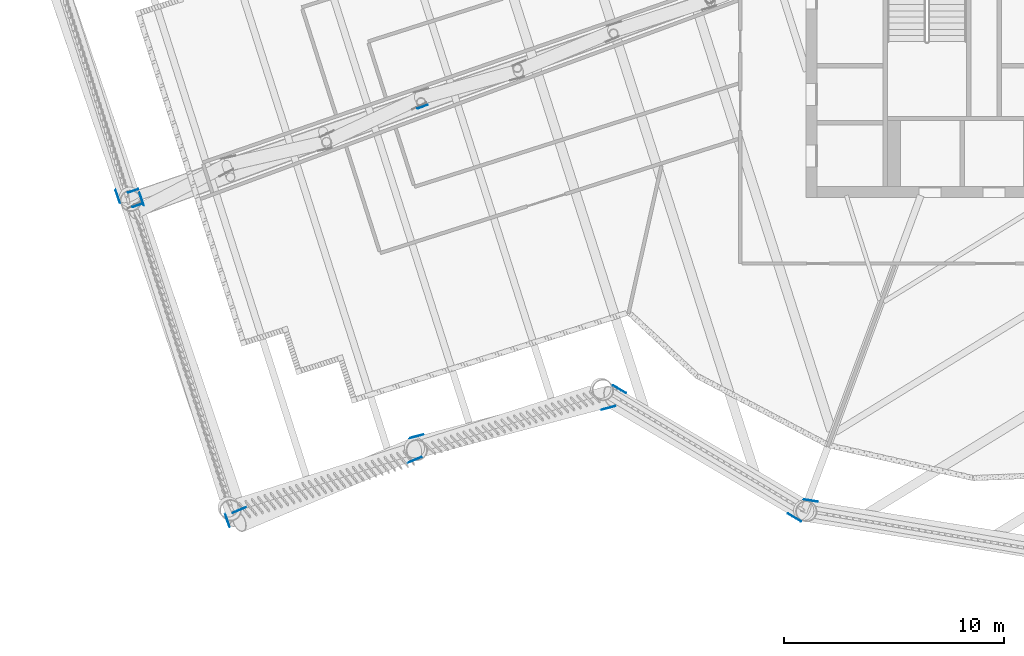
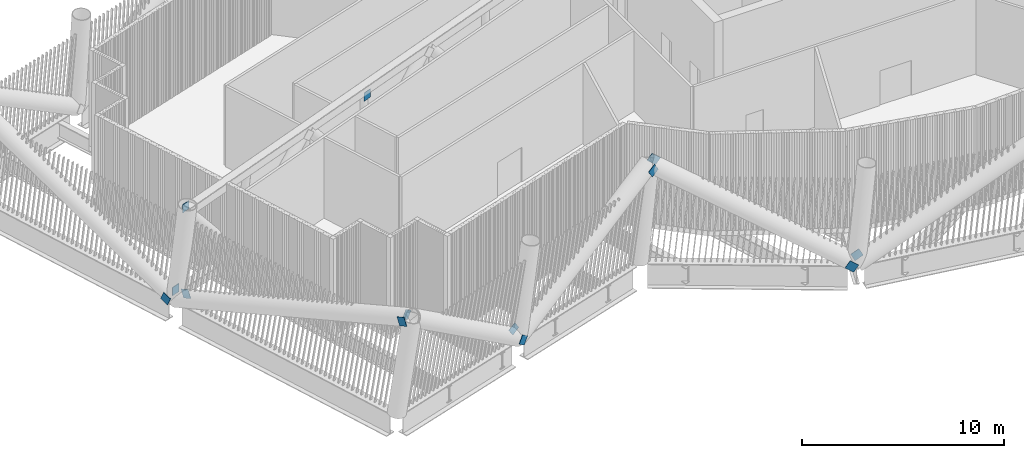
# One storey, part 19 of 40: 13 discrete accessories.
"""IFC4 building model written with IfcOpenShell, lengths in metres."""

from ifc_helpers import new_model, si_unit, direction, frame, origin, origin_2d, place, context, subcontext, project, spatial, rectangle, extrude, material, material_profile, profile_set, type_object, element, save


model = new_model("IFC4")

# Units and contexts
model_context = context("Model", 3, precision=1e-05, world=origin(), true_north=direction((0.0, 1.0)))
body_context = subcontext(model_context, "Body", "Model", "MODEL_VIEW")
ifc_project = project(units=[si_unit("LENGTHUNIT", "METRE"), si_unit("AREAUNIT", "SQUARE_METRE"), si_unit("VOLUMEUNIT", "CUBIC_METRE"), si_unit("PLANEANGLEUNIT", "RADIAN"), si_unit("MASSUNIT", "GRAM", prefix="KILO")], contexts=[model_context])

# Site, building, storey
site_placement = place(None, origin())
site = spatial("IfcSite", under=ifc_project, at=site_placement, CompositionType="ELEMENT")
building_placement = place(site_placement, origin())
building = spatial("IfcBuilding", under=site, at=building_placement, Name="Tarsis Ring Headquarters", CompositionType="ELEMENT")
storey_placement = place(building_placement, frame((0.0, 0.0, 354.800048828125)))
storey = spatial("IfcBuildingStorey", under=building, at=storey_placement, Name="L84", CompositionType="ELEMENT", Elevation=354.800048828125)

# Discrete accessories
ifc_material = material(Name="Structural steel S355", Category="steel")
ifc_material_profile = material_profile(ifc_material, rectangle(XDim=0.02490234375, YDim=0.5, at=origin_2d()), Name="PL 25x500")
ifc_profile_set = profile_set([ifc_material_profile], Name="Structural steel S355")
discrete_accessory_type_1 = type_object("IfcDiscreteAccessoryType", Name="Gusset plate Belt truss 25", PredefinedType="BRACKET", material=ifc_profile_set)
for number, where, z_axis, x_axis, name in (
    (1, (-10.009033203125, -26.751953125, 0.0), (0.871986221929, -0.139634971709, 0.469193034308), (0.158119875733, 0.987419923284, 0.0), "Gusset plate GP4"),
    (2, (-41.247314453125, -13.157470703125, 0.0), (-0.295451191013, 0.870726402606, 0.393121006224), (-0.946970043037, -0.321321859808, 0.0), "Gusset plate GP4"),
):
    element("IfcDiscreteAccessory", number, at=place(storey_placement, frame(where, z_axis=z_axis, x_axis=x_axis)), inside=storey, type_object=discrete_accessory_type_1, Name=name, PredefinedType="BRACKET", context=body_context, shape_type="SweptSolid", body=[
        extrude(rectangle(XDim=0.02490234375, YDim=0.5, at=origin_2d()), origin(), (0.0, 0.0, 1.0), 0.5),
    ])
discrete_accessory_1_placement = place(storey_placement, frame((-40.3095703125, -12.839599609375, 0.0), z_axis=(0.299213625719, -0.883973696862, 0.359251596295), x_axis=(0.947208638676, 0.32061783297, 0.0)))
element("IfcDiscreteAccessory", 3, at=discrete_accessory_1_placement, inside=storey, type_object=discrete_accessory_type_1, Name="Gusset plate GP4", PredefinedType="BRACKET", context=body_context, shape_type="SweptSolid", body=[
    extrude(rectangle(XDim=0.02490234375, YDim=0.5, at=origin_2d()), origin(), (0.0, 0.0, 1.0), 0.500244140625),
])
for number, where, z_axis, x_axis, name in (
    (4, (-36.2548828125, -27.912109375, 6.0), (-0.298898113326, 0.883996054118, -0.359459168967), (-0.947313732335, -0.320307184635, 0.0), "Gusset plate GP4"),
    (5, (-27.60986328125, -24.85205078125, 0.0), (-0.757779528676, -0.31883378365, 0.569311166518), (0.387818028784, -0.921735958152, 0.0), "Gusset plate GP4"),
    (6, (-35.977783203125, -27.297119140625, 6.0), (0.757779528676, 0.31883378365, -0.569311166518), (-0.387818028784, 0.921735958152, 0.0), "Gusset plate GP4"),
    (7, (-27.928955078125, -23.917236328125, 0.0), (0.809145213462, 0.214860527413, 0.546917706142), (-0.256645992348, 0.966505475728, 0.0), "Gusset plate GP4"),
):
    element("IfcDiscreteAccessory", number, at=place(storey_placement, frame(where, z_axis=z_axis, x_axis=x_axis)), inside=storey, type_object=discrete_accessory_type_1, Name=name, PredefinedType="BRACKET", context=body_context, shape_type="SweptSolid", body=[
        extrude(rectangle(XDim=0.02490234375, YDim=0.5, at=origin_2d()), origin(), (0.0, 0.0, 1.0), 0.5),
    ])
discrete_accessory_2_placement = place(storey_placement, frame((-18.796142578125, -22.517822265625, 6.0), z_axis=(-0.809313722457, -0.21477565614, -0.546701670176), x_axis=(0.25650138696, -0.966543862682, 0.0)))
element("IfcDiscreteAccessory", 8, at=discrete_accessory_2_placement, inside=storey, type_object=discrete_accessory_type_1, Name="Gusset plate GP4", PredefinedType="BRACKET", context=body_context, shape_type="SweptSolid", body=[
    extrude(rectangle(XDim=0.02490234375, YDim=0.5, at=origin_2d()), origin(), (0.0, 0.0, 1.0), 0.500244140625),
])
for number, where, z_axis, x_axis, name in (
    (9, (-10.338623046875, -27.66748046875, 0.0), (-0.743741896694, 0.43804102517, 0.504943612069), (-0.507489824003, -0.861657750231, 0.0), "Gusset plate GP4"),
    (10, (-18.672119140625, -21.612548828125, 6.0), (0.743558480891, -0.437932998922, -0.505307306449), (0.507489824003, 0.861657750231, 0.0), "Gusset plate GP4"),
):
    element("IfcDiscreteAccessory", number, at=place(storey_placement, frame(where, z_axis=z_axis, x_axis=x_axis)), inside=storey, type_object=discrete_accessory_type_1, Name=name, PredefinedType="BRACKET", context=body_context, shape_type="SweptSolid", body=[
        extrude(rectangle(XDim=0.02490234375, YDim=0.5, at=origin_2d()), origin(), (0.0, 0.0, 1.0), 0.5),
    ])
discrete_accessory_type_2 = type_object("IfcDiscreteAccessoryType", Name="Gusset plate Outrigger chord 25", PredefinedType="BRACKET", material=ifc_profile_set)
for number, where, z_axis, x_axis, name in (
    (11, (-40.855224609375, -12.77783203125, 0.25390625), (0.945160067265, 0.326607481922, 0.0), (-0.326607481922, 0.945160067265, 0.0), "Gusset plate GP3"),
    (12, (-40.644775390625, -13.435546875, 5.5859375), (0.937984144051, 0.346678158395, 0.0), (-0.346678158395, 0.937984144051, 0.0), "Gusset plate GP3"),
    (13, (-27.445556640625, -8.86376953125, 5.33203125), (0.0, 0.0, -1.0), (0.346496262855, -0.938051352447, 0.0), "Gusset plate GP3"),
):
    element("IfcDiscreteAccessory", number, at=place(storey_placement, frame(where, z_axis=z_axis, x_axis=x_axis)), inside=storey, type_object=discrete_accessory_type_2, Name=name, PredefinedType="BRACKET", context=body_context, shape_type="SweptSolid", body=[
        extrude(rectangle(XDim=0.02490234375, YDim=0.5, at=origin_2d()), origin(), (0.0, 0.0, 1.0), 0.5),
    ])

save(model, "model.ifc")
